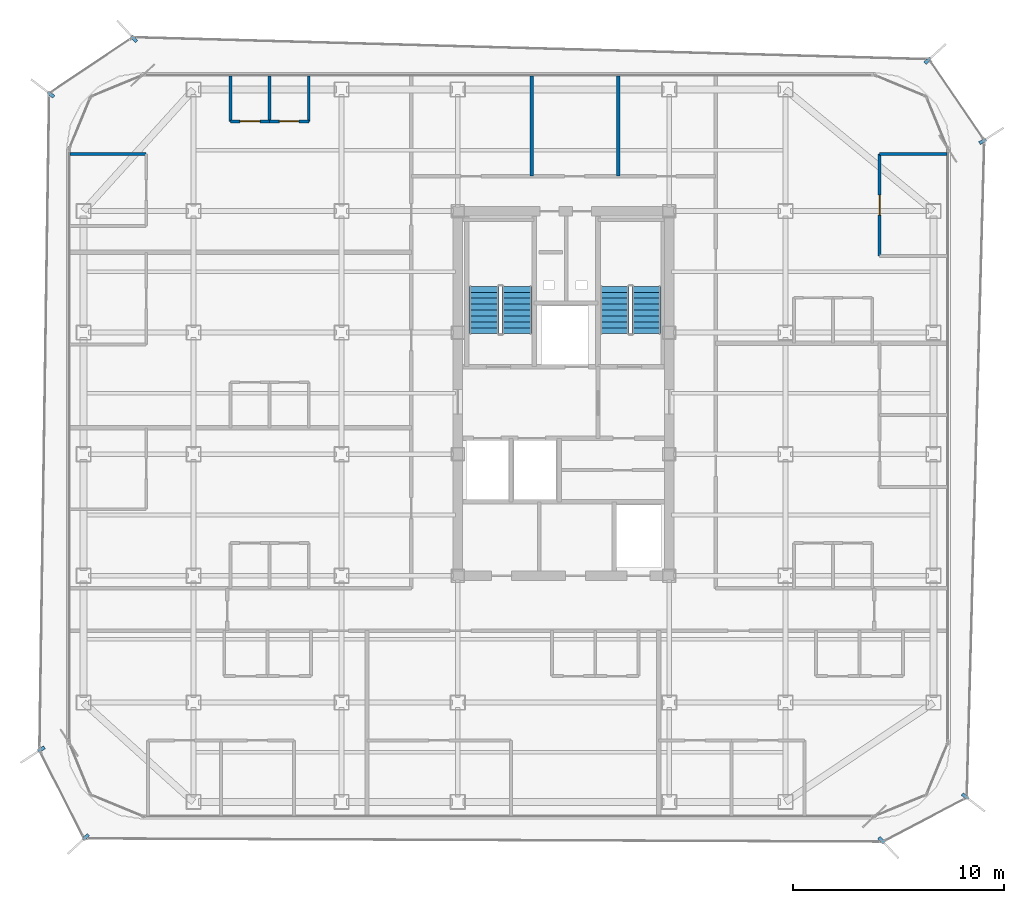
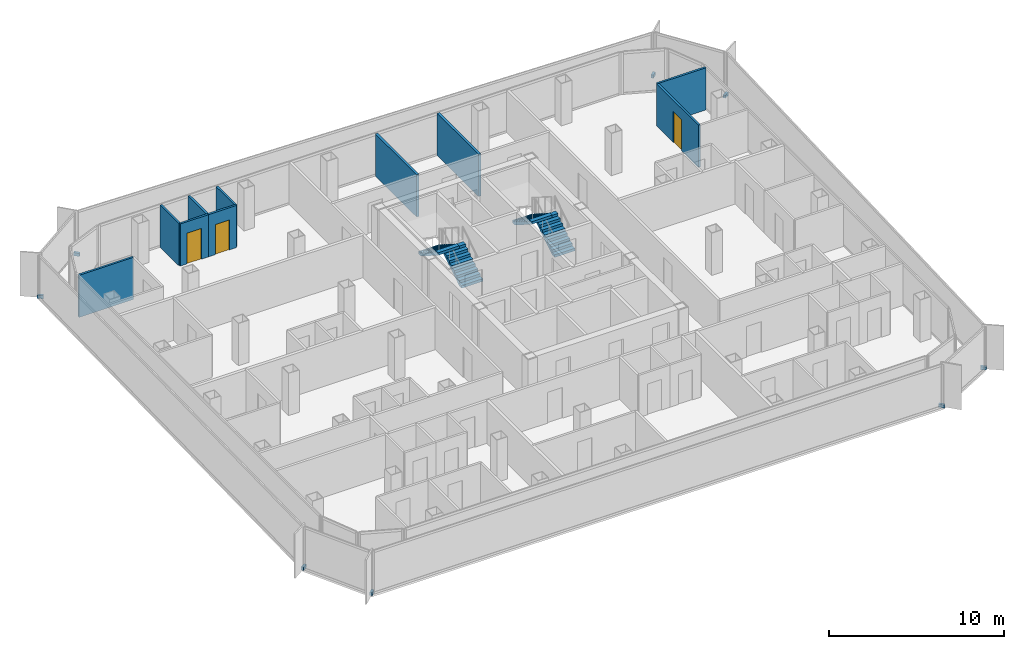
# One storey, part 13 of 16: 10 walls, 8 discrete accessories, 4 stair flights, 3 doors, 3 openings, 2 elements without a shape of their own.
"""IFC4 building model written with IfcOpenShell, lengths in metres."""

from ifc_helpers import new_model, si_unit, direction, frame, frame_2d, origin, origin_2d, place, context, subcontext, project, spatial, polyline, rectangle, outline, extrude, source, transform, mapped, material, layer, layer_set, type_object, element, fill, aggregate, save


model = new_model("IFC4")

# Units and contexts
model_context = context("Model", 3, precision=1e-05, world=origin(), true_north=direction((0.0, 1.0)))
body_context = subcontext(model_context, "Body", "Model", "MODEL_VIEW")
ifc_project = project(units=[si_unit("LENGTHUNIT", "METRE"), si_unit("AREAUNIT", "SQUARE_METRE"), si_unit("VOLUMEUNIT", "CUBIC_METRE"), si_unit("PLANEANGLEUNIT", "RADIAN"), si_unit("MASSUNIT", "GRAM", prefix="KILO")], contexts=[model_context])

# Site, building, storey
site_placement = place(None, origin())
site = spatial("IfcSite", under=ifc_project, at=site_placement, CompositionType="ELEMENT")
building_placement = place(site_placement, origin())
building = spatial("IfcBuilding", under=site, at=building_placement, Name="Kolveth Station Tower", CompositionType="ELEMENT")
storey_placement = place(building_placement, frame((0.0, 0.0, 159.300048828125)))
storey = spatial("IfcBuildingStorey", under=building, at=storey_placement, Name="L44", CompositionType="ELEMENT", Elevation=159.300048828125)

# Wall, opening, door
ifc_material_1 = material(Name="Moisture-resistant gypsum partition")
ifc_layer_1 = layer(ifc_material_1, 0.135009765625)
ifc_layer_set_1 = layer_set([ifc_layer_1], Name="Moisture-resistant gypsum partition")
wall_type_1 = type_object("IfcWallType", Name="Wall_IW-135", PredefinedType="PARTITIONING", material=ifc_layer_set_1)
wall_1_placement = place(storey_placement, frame((7.75, 32.989990234375, 0.0), z_axis=(0.0, 0.0, 1.0), x_axis=(1.0, 0.0, 0.0)))
wall_1 = element("IfcWall", 1, at=wall_1_placement, inside=storey, type_object=wall_type_1, Name="L44 Partition Wall WL-L44-W3-IBHK", PredefinedType="PARTITIONING", context=body_context, shape_type="SweptSolid", body=[
    extrude(rectangle(XDim=1.85009765625, YDim=0.135009765625, at=frame_2d((0.925048828125, 0.0))), origin(), (0.0, 0.0, 1.0), 2.949951171875),
])
opening_1_placement = place(wall_1_placement, frame((0.445068359375, 0.0, 0.0)))
opening_1 = element("IfcOpeningElement", 2, at=opening_1_placement, cuts=wall_1, Name="Opening ID1", PredefinedType="OPENING", context=body_context, shape_type="SweptSolid", body=[
    extrude(rectangle(XDim=0.949951171875, YDim=2.14990234375, at=frame_2d((0.47509765625, 1.074951171875))), frame((0.0, 0.077392578125, 0.0), z_axis=(0.0, -1.0, 0.0), x_axis=(1.0, 0.0, 0.0)), (0.0, 0.0, 1.0), 0.155029296875),
])
ifc_material_2 = material(Name="Acoustic hardwood leaf and aluminium frame", Category="wood")
door_type_1 = type_object("IfcDoorType", Name="Door_ID1", OperationType="NOTDEFINED", PredefinedType="DOOR", material=ifc_material_2)
door_1_placement = place(opening_1_placement, frame((0.949951171875, 0.0, 0.0), z_axis=(0.0, 0.0, 1.0), x_axis=(-1.0, 0.0, 0.0)))
door_1 = element("IfcDoor", 3, at=door_1_placement, inside=storey, type_object=door_type_1, Name="Penthouse Flat L44-W3 Kitchen Door", OperationType="SINGLE_SWING_LEFT", OverallHeight=2.14990234375, OverallWidth=0.949951171875, PredefinedType="DOOR", context=body_context, shape_type="SweptSolid", body=[
    extrude(rectangle(XDim=0.949951171875, YDim=2.14990234375, at=frame_2d((0.47509765625, 1.074951171875))), frame((0.0, 0.02490234375, 0.0), z_axis=(0.0, -1.0, 0.0), x_axis=(1.0, 0.0, 0.0)), (0.0, 0.0, 1.0), 0.050048828125),
])
fill(opening_1, door_1)

wall_2_placement = place(storey_placement, frame((9.60009765625, 32.989990234375, 0.0), z_axis=(0.0, 0.0, 1.0), x_axis=(1.0, 0.0, 0.0)))
wall_2 = element("IfcWall", 4, at=wall_2_placement, inside=storey, type_object=wall_type_1, Name="L44 Partition Wall WL-L44-W3-IBHB", PredefinedType="PARTITIONING", context=body_context, shape_type="SweptSolid", body=[
    extrude(rectangle(XDim=1.849853515625, YDim=0.135009765625, at=frame_2d((0.9248046875, 0.0))), origin(), (0.0, 0.0, 1.0), 2.949951171875),
])
opening_2_placement = place(wall_2_placement, frame((0.465087890625, 0.0, 0.0)))
opening_2 = element("IfcOpeningElement", 5, at=opening_2_placement, cuts=wall_2, Name="Opening ID2", PredefinedType="OPENING", context=body_context, shape_type="SweptSolid", body=[
    extrude(rectangle(XDim=0.919921875, YDim=2.10009765625, at=frame_2d((0.4599609375, 1.050048828125))), frame((0.0, 0.077392578125, 0.0), z_axis=(0.0, -1.0, 0.0), x_axis=(1.0, 0.0, 0.0)), (0.0, 0.0, 1.0), 0.155029296875),
])
ifc_material_3 = material(Name="Moisture-resistant hardwood leaf", Category="wood")
door_type_2 = type_object("IfcDoorType", Name="Door_ID2", OperationType="NOTDEFINED", PredefinedType="DOOR", material=ifc_material_3)
door_2_placement = place(opening_2_placement, frame((0.919921875, 0.0, 0.0), z_axis=(0.0, 0.0, 1.0), x_axis=(-1.0, 0.0, 0.0)))
door_2 = element("IfcDoor", 6, at=door_2_placement, inside=storey, type_object=door_type_2, Name="Penthouse Flat L44-W3 Bathroom Door", OperationType="SINGLE_SWING_RIGHT", OverallHeight=2.10009765625, OverallWidth=0.919921875, PredefinedType="DOOR", context=body_context, shape_type="SweptSolid", body=[
    extrude(rectangle(XDim=0.919921875, YDim=2.10009765625, at=frame_2d((0.4599609375, 1.050048828125))), frame((0.0, 0.02490234375, 0.0), z_axis=(0.0, -1.0, 0.0), x_axis=(1.0, 0.0, 0.0)), (0.0, 0.0, 1.0), 0.050048828125),
])
fill(opening_2, door_2)

# Walls
for number, where, z_axis, x_axis, name in (
    (7, (7.75, 32.989990234375, 0.0), (0.0, 0.0, 1.0), (0.0, 1.0, 0.0), "L44 Partition Wall WL-L44-W3-IBV0"),
    (8, (9.60009765625, 32.989990234375, 0.0), (0.0, 0.0, 1.0), (0.0, 1.0, 0.0), "L44 Partition Wall WL-L44-W3-IBV1"),
    (9, (11.449951171875, 32.989990234375, 0.0), (0.0, 0.0, 1.0), (0.0, 1.0, 0.0), "L44 Partition Wall WL-L44-W3-IBV2"),
):
    element("IfcWall", number, at=place(storey_placement, frame(where, z_axis=z_axis, x_axis=x_axis)), inside=storey, type_object=wall_type_1, Name=name, PredefinedType="PARTITIONING", context=body_context, shape_type="SweptSolid", body=[
        extrude(rectangle(XDim=2.14990234375, YDim=0.135009765625, at=frame_2d((1.074951171875, 0.0))), origin(), (0.0, 0.0, 1.0), 2.949951171875),
    ])
wall_3_placement = place(storey_placement, frame((0.159912109375, 31.449951171875, 0.0), z_axis=(0.0, 0.0, 1.0), x_axis=(1.0, 0.0, 0.0)))
element("IfcWall", 10, at=wall_3_placement, inside=storey, type_object=wall_type_1, Name="L44 Partition Wall WL-L44-W3-BDHE", PredefinedType="PARTITIONING", context=body_context, shape_type="SweptSolid", body=[
    extrude(rectangle(XDim=3.60009765625, YDim=0.135009765625, at=frame_2d((1.800048828125, 0.0))), origin(), (0.0, 0.0, 1.0), 2.949951171875),
])
wall_4_placement = place(storey_placement, frame((38.449951171875, 31.449951171875, 0.0), z_axis=(0.0, 0.0, 1.0), x_axis=(1.0, 0.0, 0.0)))
element("IfcWall", 11, at=wall_4_placement, inside=storey, type_object=wall_type_1, Name="L44 Partition Wall WL-L44-E2-BDHE", PredefinedType="PARTITIONING", context=body_context, shape_type="SweptSolid", body=[
    extrude(rectangle(XDim=3.18994140625, YDim=0.135009765625, at=frame_2d((1.594970703125, 0.0))), origin(), (0.0, 0.0, 1.0), 2.949951171875),
])

# Wall, opening, door
wall_5_placement = place(storey_placement, frame((38.449951171875, 26.6259765625, 0.0), z_axis=(0.0, 0.0, 1.0), x_axis=(0.0, 1.0, 0.0)))
wall_5 = element("IfcWall", 12, at=wall_5_placement, inside=storey, type_object=wall_type_1, Name="L44 Partition Wall WL-L44-E2-BDV1", PredefinedType="PARTITIONING", context=body_context, shape_type="SweptSolid", body=[
    extrude(rectangle(XDim=4.823974609375, YDim=0.135009765625, at=frame_2d((2.412109375, 0.0))), origin(), (0.0, 0.0, 1.0), 2.949951171875),
])
opening_3_placement = place(wall_5_placement, frame((1.931884765625, 0.0, 0.0)))
opening_3 = element("IfcOpeningElement", 13, at=opening_3_placement, cuts=wall_5, Name="Opening ID1", PredefinedType="OPENING", context=body_context, shape_type="SweptSolid", body=[
    extrude(rectangle(XDim=0.949951171875, YDim=2.14990234375, at=frame_2d((0.47509765625, 1.074951171875))), frame((0.0, 0.077392578125, 0.0), z_axis=(0.0, -1.0, 0.0), x_axis=(1.0, 0.0, 0.0)), (0.0, 0.0, 1.0), 0.155029296875),
])
door_3_placement = place(opening_3_placement, frame((0.949951171875, 0.0, 0.0), z_axis=(0.0, 0.0, 1.0), x_axis=(-1.0, 0.0, 0.0)))
door_3 = element("IfcDoor", 14, at=door_3_placement, inside=storey, type_object=door_type_1, Name="Penthouse Flat L44-E2 Bedroom 1 Door", OperationType="SINGLE_SWING_RIGHT", OverallHeight=2.14990234375, OverallWidth=0.949951171875, PredefinedType="DOOR", context=body_context, shape_type="SweptSolid", body=[
    extrude(rectangle(XDim=0.949951171875, YDim=2.14990234375, at=frame_2d((0.47509765625, 1.074951171875))), frame((0.0, 0.02490234375, 0.0), z_axis=(0.0, -1.0, 0.0), x_axis=(1.0, 0.0, 0.0)), (0.0, 0.0, 1.0), 0.050048828125),
])
fill(opening_3, door_3)

# Walls
ifc_material_4 = material(Name="Acoustic double-stud gypsum partition")
ifc_layer_2 = layer(ifc_material_4, 0.1650390625)
ifc_layer_set_2 = layer_set([ifc_layer_2], Name="Acoustic double-stud gypsum partition")
wall_type_2 = type_object("IfcWallType", Name="Wall_IW-165", PredefinedType="PARTITIONING", material=ifc_layer_set_2)
for number, where, z_axis, x_axis, name in (
    (15, (22.0, 30.39990234375, 0.0), (0.0, 0.0, 1.0), (0.0, 1.0, 0.0), "L44 Partition Wall WL-L44-RN-P1"),
    (16, (26.10009765625, 30.39990234375, 0.0), (0.0, 0.0, 1.0), (0.0, 1.0, 0.0), "L44 Partition Wall WL-L44-RN-P2"),
):
    element("IfcWall", number, at=place(storey_placement, frame(where, z_axis=z_axis, x_axis=x_axis)), inside=storey, type_object=wall_type_2, Name=name, PredefinedType="PARTITIONING", context=body_context, shape_type="SweptSolid", body=[
        extrude(rectangle(XDim=4.739990234375, YDim=0.1650390625, at=frame_2d((2.3701171875, 0.0))), origin(), (0.0, 0.0, 1.0), 2.949951171875),
    ])

# Stair, stair flights
ifc_material_5 = material(Name="Concrete C40/50", Category="concrete")
stair_type_1 = type_object("IfcStairType", Name="Stair_ST1", PredefinedType="HALF_TURN_STAIR", material=ifc_material_5)
stair_1_placement = place(storey_placement, origin())
stair_1 = element("IfcStair", 17, at=stair_1_placement, inside=storey, type_object=stair_type_1, Name="L44 Tower Exit Stair ST1", PredefinedType="HALF_TURN_STAIR")
ifc_layer_3 = layer(ifc_material_5, 0.179931640625)
ifc_layer_set_3 = layer_set([ifc_layer_3], Name="Concrete C40/50")
stair_flight_type_1 = type_object("IfcStairFlightType", Name="Flight_ST1", PredefinedType="STRAIGHT", material=ifc_layer_set_3)
stair_flight_1_placement = place(storey_placement, frame((21.300048828125, 22.949951171875, 0.0), z_axis=(0.0, 0.0, 1.0), x_axis=(0.0, 1.0, 0.0)))
stair_flight_1 = element("IfcStairFlight", 18, at=stair_flight_1_placement, type_object=stair_flight_type_1, Name="ST1 flight 1", NumberOfRisers=9, NumberOfTreads=8, PredefinedType="STRAIGHT", RiserHeight=0.177777778, TreadLength=0.28, context=body_context, shape_type="SweptSolid", body=[
    extrude(outline(polyline([(0.0, 0.0), (0.0, 0.177734375), (0.280029296875, 0.177734375), (0.280029296875, 0.35546875), (0.56005859375, 0.35546875), (0.56005859375, 0.533447265625), (0.840087890625, 0.533447265625), (0.840087890625, 0.711181640625), (1.1201171875, 0.711181640625), (1.1201171875, 0.888916015625), (1.39990234375, 0.888916015625), (1.39990234375, 1.066650390625), (1.679931640625, 1.066650390625), (1.679931640625, 1.244384765625), (1.9599609375, 1.244384765625), (1.9599609375, 1.422119140625), (2.239990234375, 1.422119140625), (2.239990234375, 1.60009765625), (2.239990234375, 1.24462890625), (0.27978515625, 0.0), (0.0, 0.0)])), frame((0.0, 0.699951171875, 0.0), z_axis=(0.0, -1.0, 0.0), x_axis=(1.0, 0.0, 0.0)), (0.0, 0.0, 1.0), 1.39990234375),
])
stair_flight_2_placement = place(storey_placement, frame((19.739990234375, 25.18994140625, 1.599853515625), z_axis=(0.0, 0.0, 1.0), x_axis=(0.0, -1.0, 0.0)))
stair_flight_2 = element("IfcStairFlight", 19, at=stair_flight_2_placement, type_object=stair_flight_type_1, Name="ST1 flight 2", NumberOfRisers=9, NumberOfTreads=8, PredefinedType="STRAIGHT", RiserHeight=0.177777778, TreadLength=0.28, context=body_context, shape_type="SweptSolid", body=[
    extrude(outline(polyline([(0.0, 0.0), (0.0, 0.177734375), (0.280029296875, 0.177734375), (0.280029296875, 0.35546875), (0.56005859375, 0.35546875), (0.56005859375, 0.533447265625), (0.840087890625, 0.533447265625), (0.840087890625, 0.711181640625), (1.1201171875, 0.711181640625), (1.1201171875, 0.888916015625), (1.39990234375, 0.888916015625), (1.39990234375, 1.066650390625), (1.679931640625, 1.066650390625), (1.679931640625, 1.244384765625), (1.9599609375, 1.244384765625), (1.9599609375, 1.422119140625), (2.239990234375, 1.422119140625), (2.239990234375, 1.60009765625), (2.239990234375, 1.24462890625), (0.27978515625, 0.0), (0.0, 0.0)])), frame((0.0, 0.699951171875, 0.0), z_axis=(0.0, -1.0, 0.0), x_axis=(1.0, 0.0, 0.0)), (0.0, 0.0, 1.0), 1.39990234375),
])
aggregate(stair_1, [stair_flight_1, stair_flight_2])

stair_type_2 = type_object("IfcStairType", Name="Stair_ST2", PredefinedType="HALF_TURN_STAIR", material=ifc_material_5)
stair_2_placement = place(storey_placement, origin())
stair_2 = element("IfcStair", 20, at=stair_2_placement, inside=storey, type_object=stair_type_2, Name="L44 Tower Exit Stair ST2", PredefinedType="HALF_TURN_STAIR")
ifc_layer_4 = layer(ifc_material_5, 0.179931640625)
ifc_layer_set_4 = layer_set([ifc_layer_4], Name="Concrete C40/50")
stair_flight_type_2 = type_object("IfcStairFlightType", Name="Flight_ST2", PredefinedType="STRAIGHT", material=ifc_layer_set_4)
stair_flight_3_placement = place(storey_placement, frame((27.425048828125, 22.949951171875, 0.0), z_axis=(0.0, 0.0, 1.0), x_axis=(0.0, 1.0, 0.0)))
stair_flight_3 = element("IfcStairFlight", 21, at=stair_flight_3_placement, type_object=stair_flight_type_2, Name="ST2 flight 1", NumberOfRisers=9, NumberOfTreads=8, PredefinedType="STRAIGHT", RiserHeight=0.177777778, TreadLength=0.28, context=body_context, shape_type="SweptSolid", body=[
    extrude(outline(polyline([(0.0, 0.0), (0.0, 0.177734375), (0.280029296875, 0.177734375), (0.280029296875, 0.35546875), (0.56005859375, 0.35546875), (0.56005859375, 0.533447265625), (0.840087890625, 0.533447265625), (0.840087890625, 0.711181640625), (1.1201171875, 0.711181640625), (1.1201171875, 0.888916015625), (1.39990234375, 0.888916015625), (1.39990234375, 1.066650390625), (1.679931640625, 1.066650390625), (1.679931640625, 1.244384765625), (1.9599609375, 1.244384765625), (1.9599609375, 1.422119140625), (2.239990234375, 1.422119140625), (2.239990234375, 1.60009765625), (2.239990234375, 1.24462890625), (0.27978515625, 0.0), (0.0, 0.0)])), frame((0.0, 0.675048828125, 0.0), z_axis=(0.0, -1.0, 0.0), x_axis=(1.0, 0.0, 0.0)), (0.0, 0.0, 1.0), 1.35009765625),
])
stair_flight_4_placement = place(storey_placement, frame((25.9150390625, 25.18994140625, 1.599853515625), z_axis=(0.0, 0.0, 1.0), x_axis=(0.0, -1.0, 0.0)))
stair_flight_4 = element("IfcStairFlight", 22, at=stair_flight_4_placement, type_object=stair_flight_type_2, Name="ST2 flight 2", NumberOfRisers=9, NumberOfTreads=8, PredefinedType="STRAIGHT", RiserHeight=0.177777778, TreadLength=0.28, context=body_context, shape_type="SweptSolid", body=[
    extrude(outline(polyline([(0.0, 0.0), (0.0, 0.177734375), (0.280029296875, 0.177734375), (0.280029296875, 0.35546875), (0.56005859375, 0.35546875), (0.56005859375, 0.533447265625), (0.840087890625, 0.533447265625), (0.840087890625, 0.711181640625), (1.1201171875, 0.711181640625), (1.1201171875, 0.888916015625), (1.39990234375, 0.888916015625), (1.39990234375, 1.066650390625), (1.679931640625, 1.066650390625), (1.679931640625, 1.244384765625), (1.9599609375, 1.244384765625), (1.9599609375, 1.422119140625), (2.239990234375, 1.422119140625), (2.239990234375, 1.60009765625), (2.239990234375, 1.24462890625), (0.27978515625, 0.0), (0.0, 0.0)])), frame((0.0, 0.675048828125, 0.0), z_axis=(0.0, -1.0, 0.0), x_axis=(1.0, 0.0, 0.0)), (0.0, 0.0, 1.0), 1.35009765625),
])
aggregate(stair_2, [stair_flight_3, stair_flight_4])

# Discrete accessories
ifc_material_6 = material(Name="Steel S355", Category="steel")
discrete_accessory_type = type_object("IfcDiscreteAccessoryType", Name="Bracket_BK1", PredefinedType="BRACKET", material=ifc_material_6)
shared_shape = source(origin(), body_context, "Body", "SweptSolid", [
    extrude(rectangle(XDim=0.35009765625, YDim=0.159912109375, at=origin_2d()), origin(), (0.0, 0.0, 1.0), 0.219970703125),
])
for number, where, z_axis, x_axis, name in (
    (23, (38.5400390625, -1.009033203125, -0.06005859375), (0.0, 0.0, 1.0), (0.686960689137, -0.726694579297, 0.0), "L44 Double-Skin Radial Tie Bracket 1"),
    (24, (42.498046875, 1.06591796875, -0.06005859375), (0.0, 0.0, 1.0), (0.793140794136, -0.609038324474, 0.0), "L44 Double-Skin Radial Tie Bracket 2"),
    (25, (43.322021484375, 32.051025390625, -0.06005859375), (0.0, 0.0, 1.0), (0.841416479405, 0.540387183587, 0.0), "L44 Double-Skin Radial Tie Bracket 3"),
    (26, (40.721923828125, 35.85888671875, -0.06005859375), (0.0, 0.0, 1.0), (0.73645139763, 0.676490457382, 0.0), "L44 Double-Skin Radial Tie Bracket 4"),
    (27, (3.18701171875, 36.89306640625, -0.06005859375), (0.0, 0.0, 1.0), (-0.677261296414, 0.735742574804, 0.0), "L44 Double-Skin Radial Tie Bracket 5"),
    (28, (-0.7451171875, 34.261962890625, -0.06005859375), (0.0, 0.0, 1.0), (-0.793353340291, 0.608761429009, 0.0), "L44 Double-Skin Radial Tie Bracket 6"),
    (29, (-1.198974609375, 3.2900390625, -0.06005859375), (0.0, 0.0, 1.0), (-0.838480401967, -0.544931753083, 0.0), "L44 Double-Skin Radial Tie Bracket 7"),
    (30, (0.904052734375, -0.862060546875, -0.06005859375), (0.0, 0.0, 1.0), (-0.733848438205, -0.679313233894, 0.0), "L44 Double-Skin Radial Tie Bracket 8"),
):
    element("IfcDiscreteAccessory", number, at=place(storey_placement, frame(where, z_axis=z_axis, x_axis=x_axis)), inside=storey, type_object=discrete_accessory_type, Name=name, PredefinedType="BRACKET", context=body_context, shape_type="MappedRepresentation", body=[
        mapped(shared_shape, transform((0.0, 0.0, 0.0), x_axis=(1.0, 0.0, 0.0), y_axis=(0.0, 1.0, 0.0), z_axis=(0.0, 0.0, 1.0), scale=1.0)),
    ])

save(model, "model.ifc")
